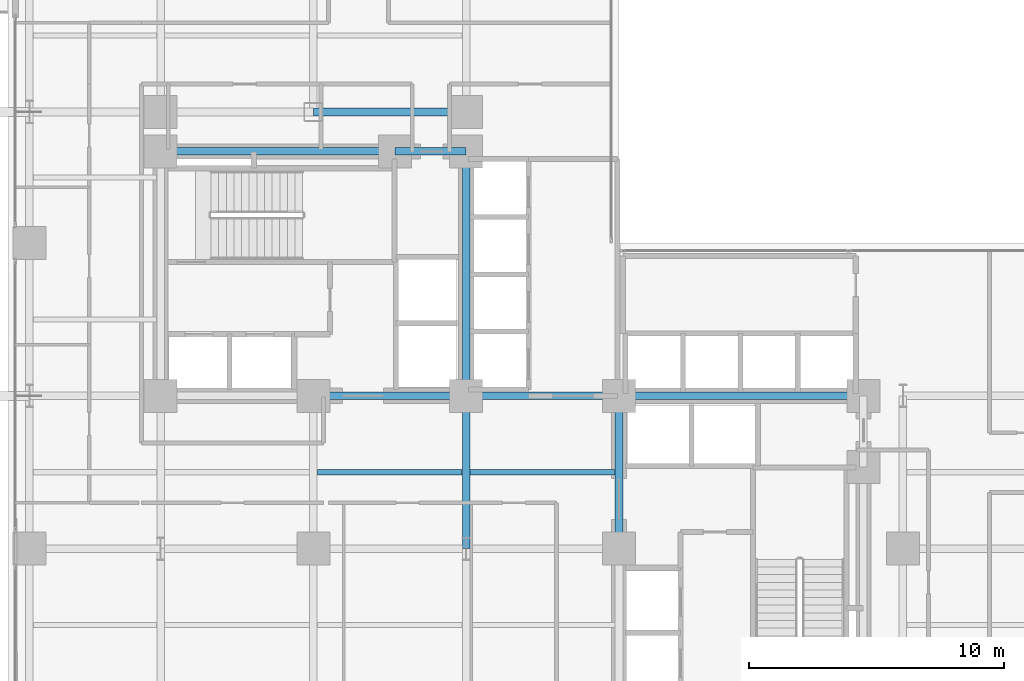
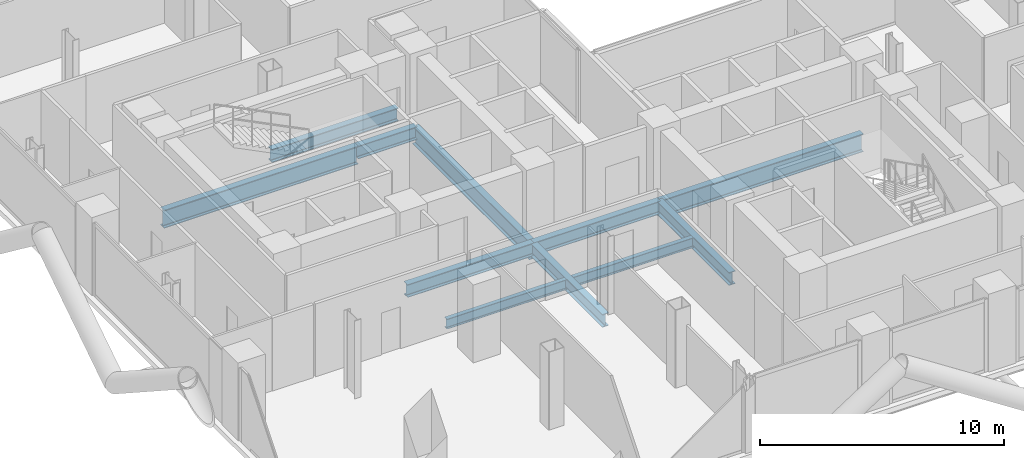
# One storey, part 6 of 27: 11 beams.
"""IFC4 building model written with IfcOpenShell, lengths in metres."""

import ifcopenshell
import ifcopenshell.guid

model = None  # the IFC model being written
_history = None  # IfcOwnerHistory: only IFC2X3 demands one
_inside = {}  # id of a spatial element -> (the spatial element, [elements in it])
_under = {}  # id of a project, library or spatial element -> (it, [spatial elements below it])
_declared = {}  # id of a project -> (the project, [libraries it declares])
_typed = {}  # id of a type object -> (the type object, [elements of that type])
_made_of = {}  # id of a material, layer set ... -> (it, [elements and type objects made of it])


def new_model(schema):
    """Start an empty IFC model of exactly this schema.

    Asked for "IFC4X3", IfcOpenShell would pick the latest addendum, in which some entities
    have other attributes; the version numbers below select the first issue.
    IFC2X3 requires an IfcOwnerHistory on every rooted entity: one is made here for all.
    """
    global model, _history
    if schema == "IFC4X3":
        model = ifcopenshell.file(schema_version=(4, 3, 0, 0))
    else:
        model = ifcopenshell.file(schema=schema)
    _inside.clear()
    _under.clear()
    _declared.clear()
    _typed.clear()
    _made_of.clear()
    _history = None
    if model.schema == "IFC2X3":
        org = make("IfcOrganization", Name="unknown")
        user = make(
            "IfcPersonAndOrganization",
            ThePerson=make("IfcPerson", FamilyName="unknown"),
            TheOrganization=org,
        )
        app = make(
            "IfcApplication",
            ApplicationDeveloper=org,
            Version="unknown",
            ApplicationFullName="unknown",
            ApplicationIdentifier="unknown",
        )
        _history = make(
            "IfcOwnerHistory",
            OwningUser=user,
            OwningApplication=app,
            ChangeAction="ADDED",
            CreationDate=0,
        )
    return model


def make(cls, **values):
    """One entity of the class cls with the attributes given. An attribute that is None is left unset."""
    return model.create_entity(
        cls, **{name: value for name, value in values.items() if value is not None}
    )


def rooted(cls, **values):
    """An entity with a GlobalId (a new one), such as an element, a storey or a relation."""
    return make(cls, GlobalId=ifcopenshell.guid.new(), OwnerHistory=_history, **values)


def si_unit(unit_type, name, prefix=None):
    """IfcSIUnit, for example si_unit("LENGTHUNIT", "METRE", prefix="MILLI")."""
    return make("IfcSIUnit", UnitType=unit_type, Prefix=prefix, Name=name)


def assignment(units):
    """IfcUnitAssignment: the units of a project."""
    return None if units is None else make("IfcUnitAssignment", Units=units)


def point(xyz):
    """IfcCartesianPoint."""
    return None if xyz is None else make("IfcCartesianPoint", Coordinates=xyz)


def direction(xyz):
    """IfcDirection."""
    return None if xyz is None else make("IfcDirection", DirectionRatios=xyz)


def frame(location, z_axis=None, x_axis=None):
    """IfcAxis2Placement3D, a coordinate frame: its origin and axes. An axis left out is left unset."""
    return make(
        "IfcAxis2Placement3D",
        Location=point(location),
        Axis=direction(z_axis),
        RefDirection=direction(x_axis),
    )


def frame_2d(location, x_axis=None):
    """IfcAxis2Placement2D, a coordinate frame in the plane: its origin and x axis."""
    return make(
        "IfcAxis2Placement2D", Location=point(location), RefDirection=direction(x_axis)
    )


def origin():
    """The frame at (0, 0, 0) with its axes left unset."""
    return frame((0.0, 0.0, 0.0))


def origin_2d():
    """The frame at (0, 0) in the plane with its x axis left unset."""
    return frame_2d((0.0, 0.0))


def place(relative_to, where):
    """IfcLocalPlacement: puts the frame where relative to a parent placement (None: the world)."""
    return make(
        "IfcLocalPlacement", PlacementRelTo=relative_to, RelativePlacement=where
    )


def context(
    kind, dimensions, precision=None, world=None, true_north=None, identifier=None
):
    """IfcGeometricRepresentationContext, for example the 3D "Model" context."""
    return make(
        "IfcGeometricRepresentationContext",
        ContextIdentifier=identifier,
        ContextType=kind,
        CoordinateSpaceDimension=dimensions,
        Precision=precision,
        WorldCoordinateSystem=world,
        TrueNorth=true_north,
    )


def subcontext(parent, identifier, kind, view, scale=None):
    """IfcGeometricRepresentationSubContext, for example "Body" below "Model"."""
    return make(
        "IfcGeometricRepresentationSubContext",
        ContextIdentifier=identifier,
        ContextType=kind,
        ParentContext=parent,
        TargetScale=scale,
        TargetView=view,
    )


def project(units=None, contexts=None):
    """IfcProject with its units and contexts."""
    return rooted(
        "IfcProject",
        Name="project",
        RepresentationContexts=contexts,
        UnitsInContext=assignment(units),
    )


def spatial(cls, under=None, at=None, **own):
    """A site, building, storey or space (cls), placed at a placement, below another one or the project."""
    s = rooted(cls, ObjectPlacement=at, **own)
    if under is not None:
        _under.setdefault(under.id(), (under, []))[1].append(s)
    return s


def profile(cls, at=None, kind="AREA", **sizes):
    """A parametric profile (cls). Its sizes go by their IFC names, for example OverallWidth=200.0."""
    return make(cls, ProfileType=kind, Position=at, **sizes)


def i_section(**sizes):
    """IfcIShapeProfileDef."""
    return profile("IfcIShapeProfileDef", **sizes)


def extrude(swept, where, along, depth):
    """IfcExtrudedAreaSolid: the profile swept, set in the frame where, extruded along a direction by depth."""
    return make(
        "IfcExtrudedAreaSolid",
        SweptArea=swept,
        Position=where,
        ExtrudedDirection=direction(along),
        Depth=depth,
    )


def shape(context_of_items, identifier, shape_type, items):
    """IfcShapeRepresentation: the items that make up one representation, for example the "Body"."""
    return make(
        "IfcShapeRepresentation",
        ContextOfItems=context_of_items,
        RepresentationIdentifier=identifier,
        RepresentationType=shape_type,
        Items=items,
    )


def material(Name=None, Category=None):
    """IfcMaterial."""
    return make("IfcMaterial", Name=Name, Category=Category)


def material_profile(
    of_material, cross_section, Name=None, Category=None, Priority=None
):
    """IfcMaterialProfile: a cross section and its material."""
    return make(
        "IfcMaterialProfile",
        Name=Name,
        Material=of_material,
        Profile=cross_section,
        Priority=Priority,
        Category=Category,
    )


def profile_set(profiles, Name=None, composite=None):
    """IfcMaterialProfileSet."""
    return make(
        "IfcMaterialProfileSet",
        Name=Name,
        MaterialProfiles=profiles,
        CompositeProfile=composite,
    )


def made_of(thing, what):
    """Note that an element or type object is made of a material, layer set ...; save() writes the relation."""
    if what is not None:
        _made_of.setdefault(what.id(), (what, []))[1].append(thing)
    return thing


def type_object(cls, material=None, **own):
    """A type object (cls), such as IfcWallType, which elements share."""
    return made_of(rooted(cls, **own), material)


def element(
    cls,
    number,
    at=None,
    inside=None,
    cuts=None,
    type_object=None,
    material=None,
    context=None,
    identifier="Body",
    shape_type=None,
    held_by="IfcProductDefinitionShape",
    body=None,
    shapes=None,
    **own,
):
    """One element of the class cls, such as IfcWall. Its Tag is "e" and its number.

    at: its placement. inside: the storey or other place that contains it. cuts: it is an
    opening in that element (IfcRelVoidsElement). A single representation is given by context,
    identifier, shape_type and body (its items); several are given by shapes. held_by: the class
    of the entity that holds the representations. save() writes the other relations.
    """
    e = rooted(cls, Tag="e%d" % number, ObjectPlacement=at, **own)
    if body is not None:
        shapes = [shape(context, identifier, shape_type, body)]
    if shapes is not None:
        e.Representation = make(held_by, Representations=shapes)
    if inside is not None:
        _inside.setdefault(inside.id(), (inside, []))[1].append(e)
    if cuts is not None:
        rooted(
            "IfcRelVoidsElement", RelatingBuildingElement=cuts, RelatedOpeningElement=e
        )
    if type_object is not None:
        _typed.setdefault(type_object.id(), (type_object, []))[1].append(e)
    return made_of(e, material)


def aggregate(whole, parts):
    """IfcRelAggregates: a whole, such as a stair, and the parts it consists of."""
    return rooted("IfcRelAggregates", RelatingObject=whole, RelatedObjects=parts)


def save(model, path):
    """Write the relations noted so far, then the file.

    IfcRelAggregates (storeys below a building ...), IfcRelContainedInSpatialStructure (elements
    in a storey), IfcRelDefinesByType, IfcRelAssociatesMaterial and IfcRelDeclares: one each for
    every whole, place, type object, material and project.
    """
    for whole, parts in _under.values():
        aggregate(whole, parts)
    for where, things in _inside.values():
        rooted(
            "IfcRelContainedInSpatialStructure",
            RelatedElements=things,
            RelatingStructure=where,
        )
    for kind, things in _typed.values():
        rooted("IfcRelDefinesByType", RelatedObjects=things, RelatingType=kind)
    for what, things in _made_of.values():
        rooted("IfcRelAssociatesMaterial", RelatedObjects=things, RelatingMaterial=what)
    for by, libraries in _declared.values():
        rooted("IfcRelDeclares", RelatingContext=by, RelatedDefinitions=libraries)
    model.write(path)


model = new_model("IFC4")

# Units and contexts
model_context = context("Model", 3, precision=1e-05, world=origin(), true_north=direction((0.0, 1.0)))
body_context = subcontext(model_context, "Body", "Model", "MODEL_VIEW")
ifc_project = project(units=[si_unit("LENGTHUNIT", "METRE"), si_unit("AREAUNIT", "SQUARE_METRE"), si_unit("VOLUMEUNIT", "CUBIC_METRE"), si_unit("PLANEANGLEUNIT", "RADIAN"), si_unit("MASSUNIT", "GRAM", prefix="KILO"), si_unit("THERMODYNAMICTEMPERATUREUNIT", "KELVIN"), si_unit("POWERUNIT", "WATT")], contexts=[model_context])

# Site, building, storey
site_placement = place(None, origin())
site = spatial("IfcSite", under=ifc_project, at=site_placement, CompositionType="ELEMENT")
building_placement = place(site_placement, origin())
building = spatial("IfcBuilding", under=site, at=building_placement, Name="Svarakhadi Broadcast Tower", CompositionType="ELEMENT")
storey_placement = place(building_placement, frame((0.0, 0.0, 40.199951171875)))
storey = spatial("IfcBuildingStorey", under=building, at=storey_placement, Name="L08", CompositionType="ELEMENT", Elevation=40.199951171875)

# Beams
ifc_material_1 = material(Name="Steel S355J2 (IS 2062 E350C)", Category="steel")
ifc_material_profile_1 = material_profile(ifc_material_1, i_section(OverallWidth=0.199951171875, OverallDepth=0.5, WebThickness=0.01025390625, FlangeThickness=0.01611328125, FilletRadius=0.02099609375, at=origin_2d()), Name="NPB 500x200x91")
ifc_profile_set_1 = profile_set([ifc_material_profile_1], Name="Steel S355J2 (IS 2062 E350C)")
beam_type_1 = type_object("IfcBeamType", Name="Beam_NPB500", PredefinedType="BEAM", material=ifc_profile_set_1)
for number, where, z_axis, x_axis, name in (
    (1, (12.159912109375, 15.0, -0.5), (1.0, 0.0, 0.0), (0.0, 1.0, 0.0), "L08 Secondary Composite Beam SB015"),
    (2, (18.159912109375, 15.0, -0.5), (1.0, 0.0, 0.0), (0.0, 1.0, 0.0), "L08 Secondary Composite Beam SB021"),
):
    element("IfcBeam", number, at=place(storey_placement, frame(where, z_axis=z_axis, x_axis=x_axis)), inside=storey, type_object=beam_type_1, Name=name, PredefinedType="BEAM", context=body_context, shape_type="SweptSolid", body=[
        extrude(i_section(OverallWidth=0.199951171875, OverallDepth=0.5, WebThickness=0.01025390625, FlangeThickness=0.01611328125, FilletRadius=0.02099609375, at=origin_2d()), origin(), (0.0, 0.0, 1.0), 5.68017578125),
    ])
ifc_material_profile_2 = material_profile(ifc_material_1, i_section(OverallWidth=0.300048828125, OverallDepth=0.64990234375, WebThickness=0.01611328125, FlangeThickness=0.031005859375, FilletRadius=0.027099609375, at=origin_2d()), Name="WPB 650x300x225")
ifc_profile_set_2 = profile_set([ifc_material_profile_2], Name="Steel S355J2 (IS 2062 E350C)")
beam_type_2 = type_object("IfcBeamType", Name="Girder_WPB650", PredefinedType="USERDEFINED", material=ifc_profile_set_2)
for number, where, z_axis, x_axis, name in (
    (3, (12.0, 18.0, -0.574951171875), (1.0, 0.0, 0.0), (0.0, 1.0, 0.0), "L08 Primary E-W Girder G027"),
    (4, (18.0, 18.0, -0.574951171875), (1.0, 0.0, 0.0), (0.0, 1.0, 0.0), "L08 Primary E-W Girder G028"),
):
    element("IfcBeam", number, at=place(storey_placement, frame(where, z_axis=z_axis, x_axis=x_axis)), inside=storey, type_object=beam_type_2, Name=name, ObjectType="GIRDER", PredefinedType="USERDEFINED", context=body_context, shape_type="SweptSolid", body=[
        extrude(i_section(OverallWidth=0.300048828125, OverallDepth=0.64990234375, WebThickness=0.01611328125, FlangeThickness=0.031005859375, FilletRadius=0.027099609375, at=origin_2d()), origin(), (0.0, 0.0, 1.0), 6.0),
    ])
beam_1_placement = place(storey_placement, frame((15.199951171875, 27.60009765625, -0.574951171875), z_axis=(1.0, 0.0, 0.0), x_axis=(0.0, 1.0, 0.0)))
element("IfcBeam", 5, at=beam_1_placement, inside=storey, type_object=beam_type_2, Name="L08 Primary E-W Girder G033", ObjectType="GIRDER", PredefinedType="USERDEFINED", context=body_context, shape_type="SweptSolid", body=[
    extrude(i_section(OverallWidth=0.300048828125, OverallDepth=0.64990234375, WebThickness=0.01611328125, FlangeThickness=0.031005859375, FilletRadius=0.027099609375, at=origin_2d()), origin(), (0.0, 0.0, 1.0), 2.800048828125),
])
for number, where, z_axis, x_axis, name in (
    (6, (12.0, 29.14990234375, -0.574951171875), (1.0, 0.0, 0.0), (0.0, 1.0, 0.0), "L08 Primary E-W Girder G036"),
    (7, (18.0, 12.0, -0.574951171875), (0.0, 1.0, 0.0), (-1.0, 0.0, 0.0), "L08 Primary N-S Girder G066"),
    (8, (24.0, 12.0, -0.574951171875), (0.0, 1.0, 0.0), (-1.0, 0.0, 0.0), "L08 Primary N-S Girder G073"),
):
    element("IfcBeam", number, at=place(storey_placement, frame(where, z_axis=z_axis, x_axis=x_axis)), inside=storey, type_object=beam_type_2, Name=name, ObjectType="GIRDER", PredefinedType="USERDEFINED", context=body_context, shape_type="SweptSolid", body=[
        extrude(i_section(OverallWidth=0.300048828125, OverallDepth=0.64990234375, WebThickness=0.01611328125, FlangeThickness=0.031005859375, FilletRadius=0.027099609375, at=origin_2d()), origin(), (0.0, 0.0, 1.0), 6.0),
    ])
ifc_material_2 = material(Name="Steel S460ML (IS 2062 E450BR)", Category="steel")
ifc_material_profile_3 = material_profile(ifc_material_2, i_section(OverallWidth=0.300048828125, OverallDepth=0.89990234375, WebThickness=0.0185546875, FlangeThickness=0.034912109375, FilletRadius=0.030029296875, at=origin_2d()), Name="WPB 900x300x291")
ifc_profile_set_3 = profile_set([ifc_material_profile_3], Name="Steel S460ML (IS 2062 E450BR)")
beam_type_3 = type_object("IfcBeamType", Name="Girder_WPB900", PredefinedType="USERDEFINED", material=ifc_profile_set_3)
beam_2_placement = place(storey_placement, frame((24.0, 18.0, -0.699951171875), z_axis=(1.0, 0.0, 0.0), x_axis=(0.0, 1.0, 0.0)))
element("IfcBeam", 9, at=beam_2_placement, inside=storey, type_object=beam_type_3, Name="L08 Primary E-W Girder G029", ObjectType="GIRDER", PredefinedType="USERDEFINED", context=body_context, shape_type="SweptSolid", body=[
    extrude(i_section(OverallWidth=0.300048828125, OverallDepth=0.89990234375, WebThickness=0.0185546875, FlangeThickness=0.034912109375, FilletRadius=0.030029296875, at=origin_2d()), origin(), (0.0, 0.0, 1.0), 9.60009765625),
])
beam_3_placement = place(storey_placement, frame((6.0, 27.60009765625, -0.699951171875), z_axis=(1.0, 0.0, 0.0), x_axis=(0.0, 1.0, 0.0)))
element("IfcBeam", 10, at=beam_3_placement, inside=storey, type_object=beam_type_3, Name="L08 Primary E-W Girder G032", ObjectType="GIRDER", PredefinedType="USERDEFINED", context=body_context, shape_type="SweptSolid", body=[
    extrude(i_section(OverallWidth=0.300048828125, OverallDepth=0.89990234375, WebThickness=0.0185546875, FlangeThickness=0.034912109375, FilletRadius=0.030029296875, at=origin_2d()), origin(), (0.0, 0.0, 1.0), 9.199951171875),
])
beam_4_placement = place(storey_placement, frame((18.0, 18.0, -0.699951171875), z_axis=(0.0, 1.0, 0.0), x_axis=(-1.0, 0.0, 0.0)))
element("IfcBeam", 11, at=beam_4_placement, inside=storey, type_object=beam_type_3, Name="L08 Primary N-S Girder G067", ObjectType="GIRDER", PredefinedType="USERDEFINED", context=body_context, shape_type="SweptSolid", body=[
    extrude(i_section(OverallWidth=0.300048828125, OverallDepth=0.89990234375, WebThickness=0.0185546875, FlangeThickness=0.034912109375, FilletRadius=0.030029296875, at=origin_2d()), origin(), (0.0, 0.0, 1.0), 9.60009765625),
])

save(model, "model.ifc")
